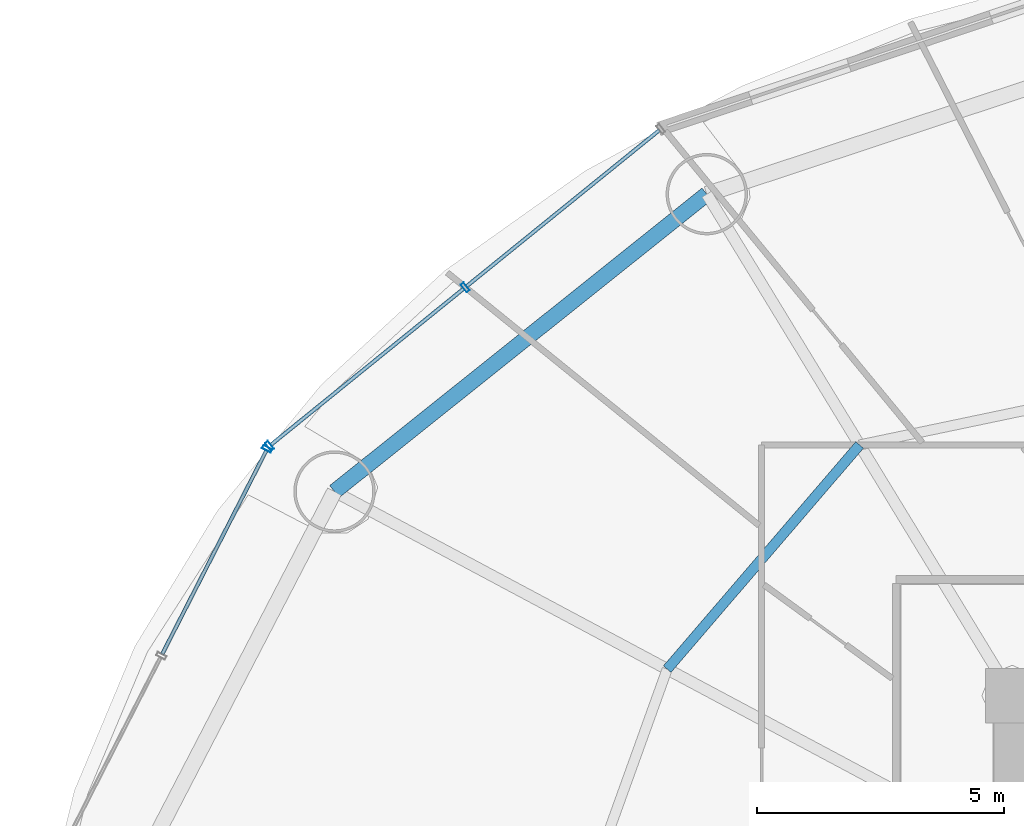
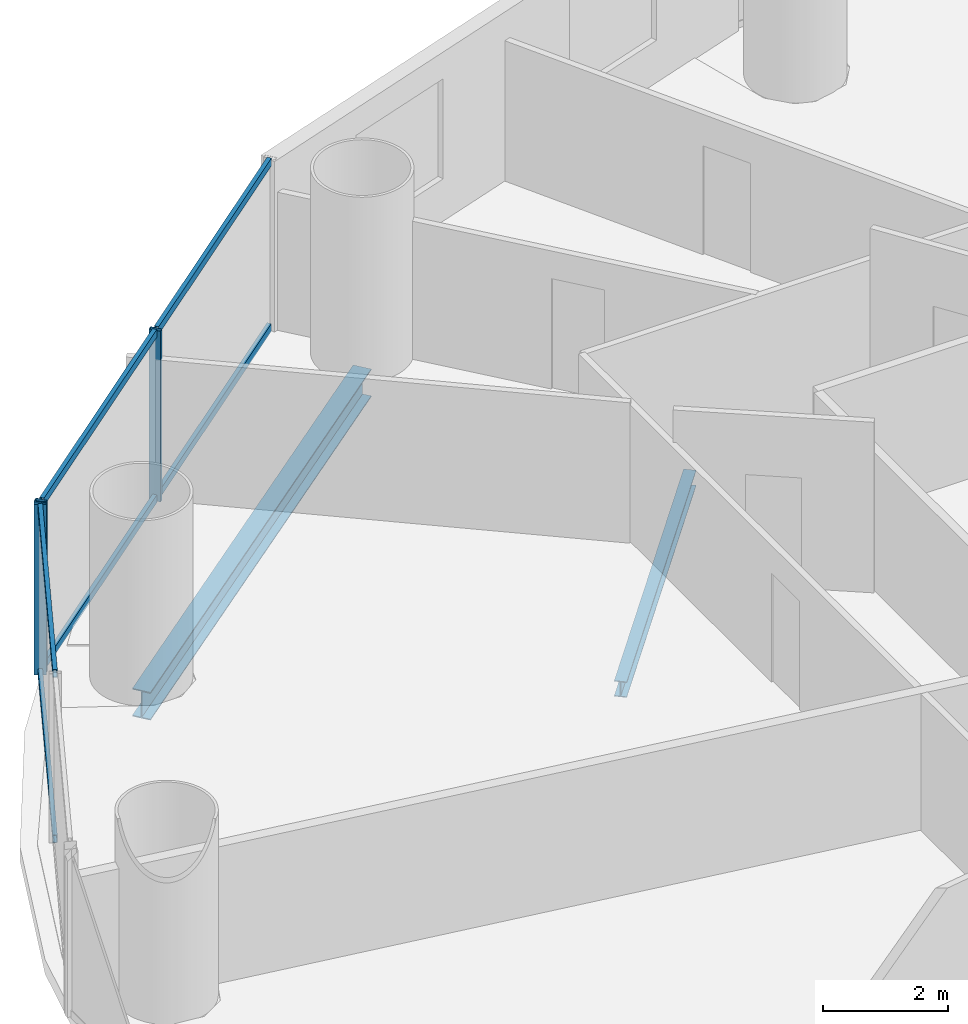
# One storey, part 15 of 30: 9 members, 2 beams, 2 elements without a shape of their own.
"""IFC4 building model written with IfcOpenShell, lengths in metres."""

from ifc_helpers import new_model, si_unit, direction, frame, origin, origin_2d, place, context, subcontext, project, spatial, hollow_rectangle, i_section, extrude, source, transform, mapped, material, material_profile, profile_set, type_object, element, aggregate, save


model = new_model("IFC4")

# Units and contexts
model_context = context("Model", 3, precision=1e-05, world=origin(), true_north=direction((-0.2419218956, 0.970295726276)))
body_context = subcontext(model_context, "Body", "Model", "MODEL_VIEW")
ifc_project = project(units=[si_unit("LENGTHUNIT", "METRE"), si_unit("AREAUNIT", "SQUARE_METRE"), si_unit("VOLUMEUNIT", "CUBIC_METRE"), si_unit("PLANEANGLEUNIT", "RADIAN"), si_unit("MASSUNIT", "GRAM", prefix="KILO")], contexts=[model_context])

# Site, building, storey
site_placement = place(None, origin())
site = spatial("IfcSite", under=ifc_project, at=site_placement, CompositionType="ELEMENT")
building_placement = place(site_placement, origin())
building = spatial("IfcBuilding", under=site, at=building_placement, Name="Cobrevalo Terracotta Tower", CompositionType="ELEMENT")
storey_placement = place(building_placement, frame((0.0, 0.0, 31.199951171875)))
storey = spatial("IfcBuildingStorey", under=building, at=storey_placement, Name="L07", CompositionType="ELEMENT", Elevation=31.199951171875)

# Beams
ifc_material_1 = material(Name="Steel S355", Category="steel")
ifc_material_profile_1 = material_profile(ifc_material_1, i_section(OverallWidth=0.2041015625, OverallDepth=0.305908203125, WebThickness=0.008544921875, FlangeThickness=0.0146484375, at=origin_2d()), Name="W 310x67")
ifc_profile_set_1 = profile_set([ifc_material_profile_1], Name="Steel S355")
beam_type_1 = type_object("IfcBeamType", Name="Structural Joist W 310x67 (Steel S355)", PredefinedType="JOIST", material=ifc_profile_set_1)
beam_1_placement = place(storey_placement, frame((25.902587890625, 39.8837890625, -0.432861328125), z_axis=(-0.651328404454, -0.758795960421, 0.0), x_axis=(0.758795960421, -0.651328404454, 0.0)))
element("IfcBeam", 1, at=beam_1_placement, inside=storey, type_object=beam_type_1, Name="L07 circumferential secondary floor joist 06", PredefinedType="JOIST", context=body_context, shape_type="SweptSolid", body=[
    extrude(i_section(OverallWidth=0.2041015625, OverallDepth=0.305908203125, WebThickness=0.008544921875, FlangeThickness=0.0146484375, at=origin_2d()), origin(), (0.0, 0.0, 1.0), 5.98828125),
])
ifc_material_profile_2 = material_profile(ifc_material_1, i_section(OverallWidth=0.31201171875, OverallDepth=0.54296875, WebThickness=0.0126953125, FlangeThickness=0.020263671875, at=origin_2d()), Name="W 530x150")
ifc_profile_set_2 = profile_set([ifc_material_profile_2], Name="Steel S355")
beam_type_2 = type_object("IfcBeamType", Name="Structural Spandrel W 530x150 (Steel S355)", PredefinedType="SPANDREL", material=ifc_profile_set_2)
beam_2_placement = place(storey_placement, frame((22.80517578125, 44.967529296875, -0.551513671875), z_axis=(-0.781292806807, -0.62416468182, 0.0), x_axis=(0.62416468182, -0.781292806807, 0.0)))
element("IfcBeam", 2, at=beam_2_placement, inside=storey, type_object=beam_type_2, Name="L07 perimeter ring spandrel 06", PredefinedType="SPANDREL", context=body_context, shape_type="SweptSolid", body=[
    extrude(i_section(OverallWidth=0.31201171875, OverallDepth=0.54296875, WebThickness=0.0126953125, FlangeThickness=0.020263671875, at=origin_2d()), origin(), (0.0, 0.0, 1.0), 9.658203125),
])

# Curtain wall, members
ifc_material_2 = material(Name="Anodized aluminium", Category="aluminium")
curtain_wall_type = type_object("IfcCurtainWallType", Name="Lower-tower unitised acoustic low-E curtain wall CW-U1", PredefinedType="NOTDEFINED", material=ifc_material_2)
curtain_wall_1_placement = place(storey_placement, origin())
curtain_wall_1 = element("IfcCurtainWall", 3, at=curtain_wall_1_placement, inside=storey, type_object=curtain_wall_type, Name="L07 curtain wall CW-L07-S06", PredefinedType="NOTDEFINED")
ifc_material_profile_3 = material_profile(ifc_material_2, hollow_rectangle(XDim=0.074951171875, YDim=0.199951171875, WallThickness=0.0048828125, at=origin_2d()), Name="CWM 75x200")
ifc_profile_set_3 = profile_set([ifc_material_profile_3], Name="Anodized aluminium")
member_type_1 = type_object("IfcMemberType", Name="Lower/mid tower unitised mullion 75x200", PredefinedType="MULLION", material=ifc_profile_set_3)
shared_shape_1 = source(origin(), body_context, "Body", "SweptSolid", [
    extrude(hollow_rectangle(XDim=0.074951171875, YDim=0.199951171875, WallThickness=0.0048828125, at=origin_2d()), origin(), (0.0, 0.0, 1.0), 3.320068359375),
])
member_1_placement = place(storey_placement, frame((17.90869140625, 43.076904296875, 0.0), z_axis=(0.0, 0.0, 1.0), x_axis=(-0.777003153187, -0.629496703675, 0.0)))
member_1 = element("IfcMember", 4, at=member_1_placement, type_object=member_type_1, Name="CW-L07-S06 vertical mullion 02", PredefinedType="MULLION", context=body_context, shape_type="MappedRepresentation", body=[
    mapped(shared_shape_1, transform((0.0, 0.0, 0.0), scale=1.0)),
])
member_2_placement = place(storey_placement, frame((13.943359375, 39.864501953125, 0.0), z_axis=(0.0, 0.0, 1.0), x_axis=(-0.777003153187, -0.629496703675, 0.0)))
member_2 = element("IfcMember", 5, at=member_2_placement, type_object=member_type_1, Name="CW-L07-S06 vertical mullion 03", PredefinedType="MULLION", context=body_context, shape_type="MappedRepresentation", body=[
    mapped(shared_shape_1, transform((0.0, 0.0, 0.0), scale=1.0)),
])

# Curtain wall, member
curtain_wall_2_placement = place(storey_placement, origin())
curtain_wall_2 = element("IfcCurtainWall", 6, at=curtain_wall_2_placement, inside=storey, type_object=curtain_wall_type, Name="L07 curtain wall CW-L07-S07", PredefinedType="NOTDEFINED")
member_3_placement = place(storey_placement, frame((13.89404296875, 39.8037109375, 0.0), z_axis=(0.0, 0.0, 1.0), x_axis=(-0.455234136597, -0.890371765543, 0.0)))
member_3 = element("IfcMember", 7, at=member_3_placement, type_object=member_type_1, Name="CW-L07-S07 vertical mullion 01", PredefinedType="MULLION", context=body_context, shape_type="MappedRepresentation", body=[
    mapped(shared_shape_1, transform((0.0, 0.0, 0.0), scale=1.0)),
])

# Member
ifc_material_profile_4 = material_profile(ifc_material_2, hollow_rectangle(XDim=0.074951171875, YDim=0.14990234375, WallThickness=0.00439453125, at=origin_2d()), Name="CWT 75x150")
ifc_profile_set_4 = profile_set([ifc_material_profile_4], Name="Anodized aluminium")
member_type_2 = type_object("IfcMemberType", Name="Tower unitised aluminium transom 75x150", PredefinedType="USERDEFINED", material=ifc_profile_set_4)
shared_shape_2 = source(origin(), body_context, "Body", "SweptSolid", [
    extrude(hollow_rectangle(XDim=0.074951171875, YDim=0.14990234375, WallThickness=0.00439453125, at=origin_2d()), origin(), (0.0, 0.0, 1.0), 5.0234375),
])
member_4_placement = place(storey_placement, frame((21.843017578125, 46.26416015625, 0.050048828125), z_axis=(-0.777022991593, -0.629472215857, 0.0), x_axis=(0.629472215857, -0.777022991593, 0.0)))
member_4 = element("IfcMember", 8, at=member_4_placement, type_object=member_type_2, Name="CW-L07-S06 transom B01-T1", ObjectType="TRANSOM", PredefinedType="USERDEFINED", context=body_context, shape_type="MappedRepresentation", body=[
    mapped(shared_shape_2, transform((0.0, 0.0, 0.0), scale=1.0)),
])

member_5_placement = place(storey_placement, frame((21.843017578125, 46.26416015625, 3.27001953125), z_axis=(-0.777022991593, -0.629472215857, 0.0), x_axis=(0.629472215857, -0.777022991593, 0.0)))
member_5 = element("IfcMember", 9, at=member_5_placement, type_object=member_type_2, Name="CW-L07-S06 transom B01-T2", ObjectType="TRANSOM", PredefinedType="USERDEFINED", context=body_context, shape_type="MappedRepresentation", body=[
    mapped(shared_shape_2, transform((0.0, 0.0, 0.0), scale=1.0)),
])

member_6_placement = place(storey_placement, frame((17.877685546875, 43.0517578125, 0.050048828125), z_axis=(-0.777022991593, -0.629472215857, 0.0), x_axis=(0.629472215857, -0.777022991593, 0.0)))
member_6 = element("IfcMember", 10, at=member_6_placement, type_object=member_type_2, Name="CW-L07-S06 transom B02-T1", ObjectType="TRANSOM", PredefinedType="USERDEFINED", context=body_context, shape_type="MappedRepresentation", body=[
    mapped(shared_shape_2, transform((0.0, 0.0, 0.0), scale=1.0)),
])

member_7_placement = place(storey_placement, frame((17.877685546875, 43.0517578125, 3.27001953125), z_axis=(-0.777022991593, -0.629472215857, 0.0), x_axis=(0.629472215857, -0.777022991593, 0.0)))
member_7 = element("IfcMember", 11, at=member_7_placement, type_object=member_type_2, Name="CW-L07-S06 transom B02-T2", ObjectType="TRANSOM", PredefinedType="USERDEFINED", context=body_context, shape_type="MappedRepresentation", body=[
    mapped(shared_shape_2, transform((0.0, 0.0, 0.0), scale=1.0)),
])

aggregate(curtain_wall_1, [member_1, member_2, member_4, member_5, member_6, member_7])

shared_shape_3 = source(origin(), body_context, "Body", "SweptSolid", [
    extrude(hollow_rectangle(XDim=0.074951171875, YDim=0.14990234375, WallThickness=0.00439453125, at=origin_2d()), origin(), (0.0, 0.0, 1.0), 4.63134765625),
])
member_8_placement = place(storey_placement, frame((13.8759765625, 39.76806640625, 0.050048828125), z_axis=(-0.455250376494, -0.890363462133, 0.0), x_axis=(0.890363462133, -0.455250376494, 0.0)))
member_8 = element("IfcMember", 12, at=member_8_placement, type_object=member_type_2, Name="CW-L07-S07 transom B01-T1", ObjectType="TRANSOM", PredefinedType="USERDEFINED", context=body_context, shape_type="MappedRepresentation", body=[
    mapped(shared_shape_3, transform((0.0, 0.0, 0.0), scale=1.0)),
])

member_9_placement = place(storey_placement, frame((13.8759765625, 39.76806640625, 3.27001953125), z_axis=(-0.455250376494, -0.890363462133, 0.0), x_axis=(0.890363462133, -0.455250376494, 0.0)))
member_9 = element("IfcMember", 13, at=member_9_placement, type_object=member_type_2, Name="CW-L07-S07 transom B01-T2", ObjectType="TRANSOM", PredefinedType="USERDEFINED", context=body_context, shape_type="MappedRepresentation", body=[
    mapped(shared_shape_3, transform((0.0, 0.0, 0.0), scale=1.0)),
])

aggregate(curtain_wall_2, [member_3, member_8, member_9])

save(model, "model.ifc")
